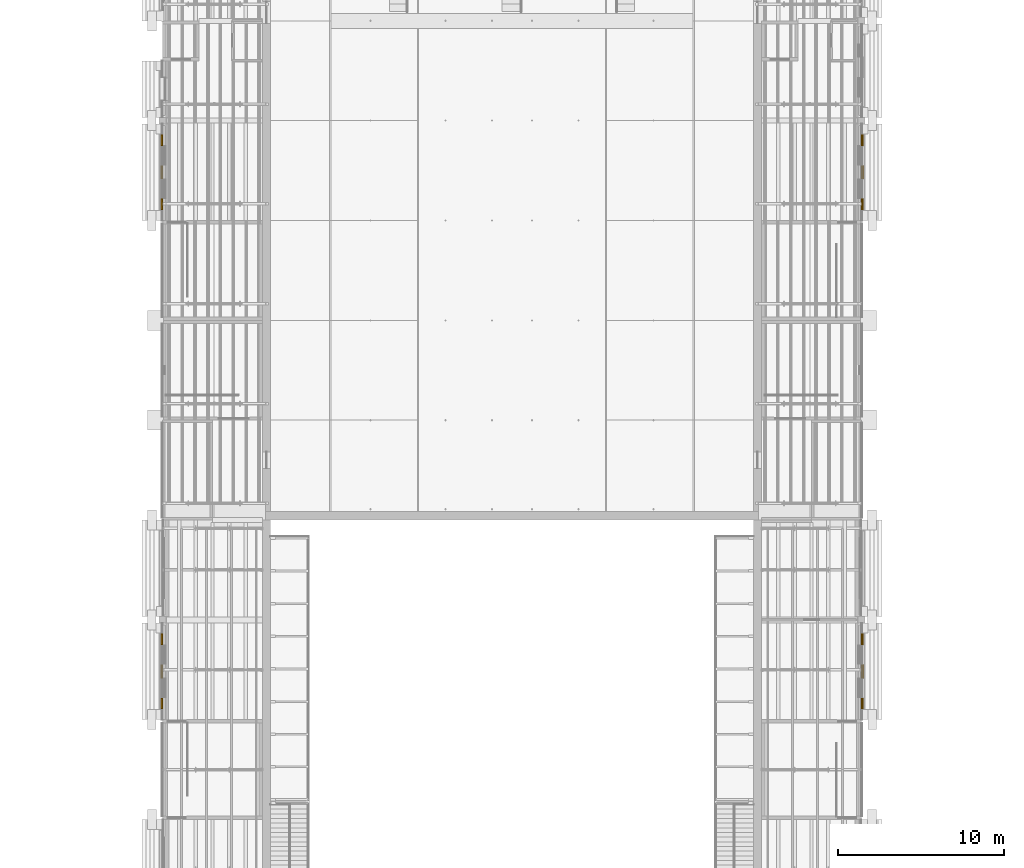
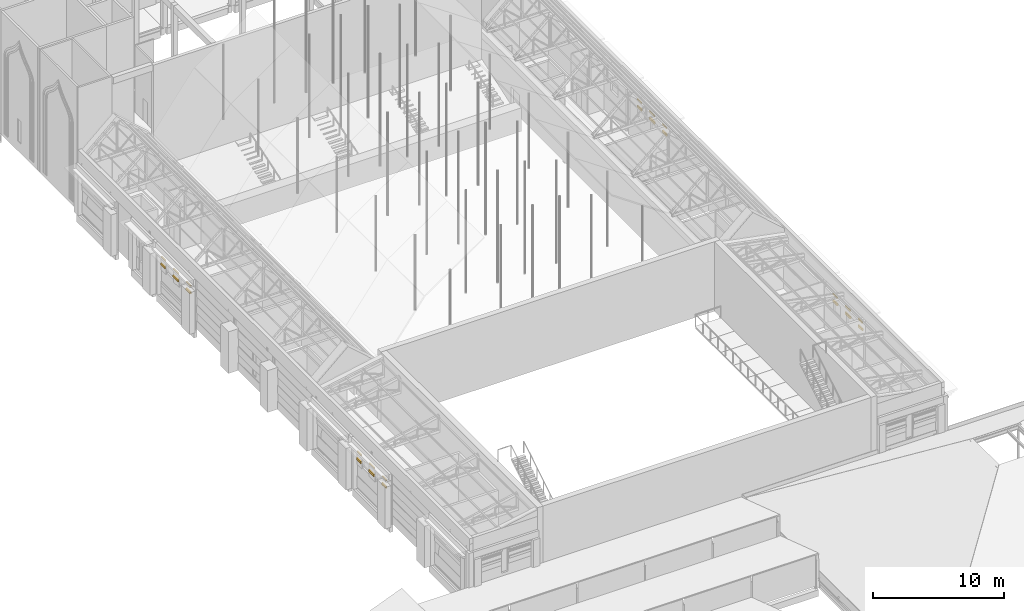
# One storey, part 118 of 118: 24 coverings.
"""IFC4 building model written with IfcOpenShell, lengths in metres."""

from ifc_helpers import new_model, si_unit, direction, frame, origin, origin_2d, place, context, subcontext, project, spatial, rectangle, extrude, material, layer, layer_set, type_object, element, save


model = new_model("IFC4")

# Units and contexts
model_context = context("Model", 3, precision=1e-05, world=origin(), true_north=direction((0.0, 1.0)))
body_context = subcontext(model_context, "Body", "Model", "MODEL_VIEW")
ifc_project = project(units=[si_unit("LENGTHUNIT", "METRE"), si_unit("AREAUNIT", "SQUARE_METRE"), si_unit("VOLUMEUNIT", "CUBIC_METRE"), si_unit("PLANEANGLEUNIT", "RADIAN"), si_unit("MASSUNIT", "GRAM", prefix="KILO")], contexts=[model_context])

# Site, building, storey
site_placement = place(None, origin())
site = spatial("IfcSite", under=ifc_project, at=site_placement, CompositionType="ELEMENT")
building_placement = place(site_placement, origin())
building = spatial("IfcBuilding", under=site, at=building_placement, Name="Saffron Lane Theatres", CompositionType="ELEMENT")
storey_placement = place(building_placement, frame((0.0, 0.0, 16.5)))
storey = spatial("IfcBuildingStorey", under=building, at=storey_placement, Name="L03", CompositionType="ELEMENT", Elevation=16.5)

# Coverings
ifc_material_1 = material(Name="Masonry sandstone", Category="masonry")
ifc_layer_1 = layer(ifc_material_1, 0.179931640625)
ifc_layer_set_1 = layer_set([ifc_layer_1], Name="Masonry sandstone")
covering_type_1 = type_object("IfcCoveringType", Name="EX-EAVES CORNICE SANDSTONE 180", PredefinedType="CLADDING", material=ifc_layer_set_1)
covering_1_placement = place(storey_placement, frame((54.0400390625, 76.824951171875, 3.449951171875), z_axis=(0.0, 0.0, 1.0), x_axis=(0.0, -1.0, 0.0)))
element("IfcCovering", 1, at=covering_1_placement, inside=storey, type_object=covering_type_1, Name="Eaves cornice L03", PredefinedType="CLADDING", context=body_context, shape_type="SweptSolid", body=[
    extrude(rectangle(XDim=0.64990234375, YDim=0.080078125, at=origin_2d()), origin(), (0.0, 0.0, 1.0), 0.1298828125),
])
covering_2_placement = place(storey_placement, frame((54.0400390625, 74.89990234375, 3.449951171875), z_axis=(0.0, 0.0, 1.0), x_axis=(0.0, -1.0, 0.0)))
element("IfcCovering", 2, at=covering_2_placement, inside=storey, type_object=covering_type_1, Name="Eaves cornice L03", PredefinedType="CLADDING", context=body_context, shape_type="SweptSolid", body=[
    extrude(rectangle(XDim=0.800048828125, YDim=0.080078125, at=origin_2d()), origin(), (0.0, 0.0, 1.0), 0.1298828125),
])
for number, where, z_axis, x_axis, name in (
    (3, (54.0400390625, 72.97509765625, 3.449951171875), (0.0, 0.0, 1.0), (0.0, -1.0, 0.0), "Eaves cornice L03"),
    (4, (54.0400390625, 46.824951171875, 3.449951171875), (0.0, 0.0, 1.0), (0.0, -1.0, 0.0), "Eaves cornice L03"),
):
    element("IfcCovering", number, at=place(storey_placement, frame(where, z_axis=z_axis, x_axis=x_axis)), inside=storey, type_object=covering_type_1, Name=name, PredefinedType="CLADDING", context=body_context, shape_type="SweptSolid", body=[
        extrude(rectangle(XDim=0.64990234375, YDim=0.080078125, at=origin_2d()), origin(), (0.0, 0.0, 1.0), 0.1298828125),
    ])
covering_3_placement = place(storey_placement, frame((54.0400390625, 44.89990234375, 3.449951171875), z_axis=(0.0, 0.0, 1.0), x_axis=(0.0, -1.0, 0.0)))
element("IfcCovering", 5, at=covering_3_placement, inside=storey, type_object=covering_type_1, Name="Eaves cornice L03", PredefinedType="CLADDING", context=body_context, shape_type="SweptSolid", body=[
    extrude(rectangle(XDim=0.800048828125, YDim=0.080078125, at=origin_2d()), origin(), (0.0, 0.0, 1.0), 0.1298828125),
])
for number, where, z_axis, x_axis, name in (
    (6, (54.0400390625, 42.97509765625, 3.449951171875), (0.0, 0.0, 1.0), (0.0, -1.0, 0.0), "Eaves cornice L03"),
    (7, (11.9599609375, 42.97509765625, 3.449951171875), (0.0, 0.0, 1.0), (0.0, 1.0, 0.0), "Eaves cornice L03"),
):
    element("IfcCovering", number, at=place(storey_placement, frame(where, z_axis=z_axis, x_axis=x_axis)), inside=storey, type_object=covering_type_1, Name=name, PredefinedType="CLADDING", context=body_context, shape_type="SweptSolid", body=[
        extrude(rectangle(XDim=0.64990234375, YDim=0.080078125, at=origin_2d()), origin(), (0.0, 0.0, 1.0), 0.1298828125),
    ])
covering_4_placement = place(storey_placement, frame((11.9599609375, 44.89990234375, 3.449951171875), z_axis=(0.0, 0.0, 1.0), x_axis=(0.0, 1.0, 0.0)))
element("IfcCovering", 8, at=covering_4_placement, inside=storey, type_object=covering_type_1, Name="Eaves cornice L03", PredefinedType="CLADDING", context=body_context, shape_type="SweptSolid", body=[
    extrude(rectangle(XDim=0.800048828125, YDim=0.080078125, at=origin_2d()), origin(), (0.0, 0.0, 1.0), 0.1298828125),
])
for number, where, z_axis, x_axis, name in (
    (9, (11.9599609375, 46.824951171875, 3.449951171875), (0.0, 0.0, 1.0), (0.0, 1.0, 0.0), "Eaves cornice L03"),
    (10, (11.9599609375, 72.97509765625, 3.449951171875), (0.0, 0.0, 1.0), (0.0, 1.0, 0.0), "Eaves cornice L03"),
):
    element("IfcCovering", number, at=place(storey_placement, frame(where, z_axis=z_axis, x_axis=x_axis)), inside=storey, type_object=covering_type_1, Name=name, PredefinedType="CLADDING", context=body_context, shape_type="SweptSolid", body=[
        extrude(rectangle(XDim=0.64990234375, YDim=0.080078125, at=origin_2d()), origin(), (0.0, 0.0, 1.0), 0.1298828125),
    ])
covering_5_placement = place(storey_placement, frame((11.9599609375, 74.89990234375, 3.449951171875), z_axis=(0.0, 0.0, 1.0), x_axis=(0.0, 1.0, 0.0)))
element("IfcCovering", 11, at=covering_5_placement, inside=storey, type_object=covering_type_1, Name="Eaves cornice L03", PredefinedType="CLADDING", context=body_context, shape_type="SweptSolid", body=[
    extrude(rectangle(XDim=0.800048828125, YDim=0.080078125, at=origin_2d()), origin(), (0.0, 0.0, 1.0), 0.1298828125),
])
covering_6_placement = place(storey_placement, frame((11.9599609375, 76.824951171875, 3.449951171875), z_axis=(0.0, 0.0, 1.0), x_axis=(0.0, 1.0, 0.0)))
element("IfcCovering", 12, at=covering_6_placement, inside=storey, type_object=covering_type_1, Name="Eaves cornice L03", PredefinedType="CLADDING", context=body_context, shape_type="SweptSolid", body=[
    extrude(rectangle(XDim=0.64990234375, YDim=0.080078125, at=origin_2d()), origin(), (0.0, 0.0, 1.0), 0.1298828125),
])
ifc_material_2 = material(Name="Masonry sandstone", Category="masonry")
ifc_layer_2 = layer(ifc_material_2, 0.1201171875)
ifc_layer_set_2 = layer_set([ifc_layer_2], Name="Masonry sandstone")
covering_type_2 = type_object("IfcCoveringType", Name="EX-EAVES STRING COURSE SANDSTONE 120", PredefinedType="CLADDING", material=ifc_layer_set_2)
covering_7_placement = place(storey_placement, frame((54.06005859375, 76.824951171875, 2.75), z_axis=(0.0, 0.0, 1.0), x_axis=(0.0, -1.0, 0.0)))
element("IfcCovering", 13, at=covering_7_placement, inside=storey, type_object=covering_type_2, Name="Eaves string course L03", PredefinedType="CLADDING", context=body_context, shape_type="SweptSolid", body=[
    extrude(rectangle(XDim=0.64990234375, YDim=0.1201171875, at=origin_2d()), origin(), (0.0, 0.0, 1.0), 0.199951171875),
])
covering_8_placement = place(storey_placement, frame((54.06005859375, 74.89990234375, 2.75), z_axis=(0.0, 0.0, 1.0), x_axis=(0.0, -1.0, 0.0)))
element("IfcCovering", 14, at=covering_8_placement, inside=storey, type_object=covering_type_2, Name="Eaves string course L03", PredefinedType="CLADDING", context=body_context, shape_type="SweptSolid", body=[
    extrude(rectangle(XDim=0.800048828125, YDim=0.1201171875, at=origin_2d()), origin(), (0.0, 0.0, 1.0), 0.199951171875),
])
for number, where, z_axis, x_axis, name in (
    (15, (54.06005859375, 72.97509765625, 2.75), (0.0, 0.0, 1.0), (0.0, -1.0, 0.0), "Eaves string course L03"),
    (16, (54.06005859375, 46.824951171875, 2.75), (0.0, 0.0, 1.0), (0.0, -1.0, 0.0), "Eaves string course L03"),
):
    element("IfcCovering", number, at=place(storey_placement, frame(where, z_axis=z_axis, x_axis=x_axis)), inside=storey, type_object=covering_type_2, Name=name, PredefinedType="CLADDING", context=body_context, shape_type="SweptSolid", body=[
        extrude(rectangle(XDim=0.64990234375, YDim=0.1201171875, at=origin_2d()), origin(), (0.0, 0.0, 1.0), 0.199951171875),
    ])
covering_9_placement = place(storey_placement, frame((54.06005859375, 44.89990234375, 2.75), z_axis=(0.0, 0.0, 1.0), x_axis=(0.0, -1.0, 0.0)))
element("IfcCovering", 17, at=covering_9_placement, inside=storey, type_object=covering_type_2, Name="Eaves string course L03", PredefinedType="CLADDING", context=body_context, shape_type="SweptSolid", body=[
    extrude(rectangle(XDim=0.800048828125, YDim=0.1201171875, at=origin_2d()), origin(), (0.0, 0.0, 1.0), 0.199951171875),
])
for number, where, z_axis, x_axis, name in (
    (18, (54.06005859375, 42.97509765625, 2.75), (0.0, 0.0, 1.0), (0.0, -1.0, 0.0), "Eaves string course L03"),
    (19, (11.93994140625, 42.97509765625, 2.75), (0.0, 0.0, 1.0), (0.0, 1.0, 0.0), "Eaves string course L03"),
):
    element("IfcCovering", number, at=place(storey_placement, frame(where, z_axis=z_axis, x_axis=x_axis)), inside=storey, type_object=covering_type_2, Name=name, PredefinedType="CLADDING", context=body_context, shape_type="SweptSolid", body=[
        extrude(rectangle(XDim=0.64990234375, YDim=0.1201171875, at=origin_2d()), origin(), (0.0, 0.0, 1.0), 0.199951171875),
    ])
covering_10_placement = place(storey_placement, frame((11.93994140625, 44.89990234375, 2.75), z_axis=(0.0, 0.0, 1.0), x_axis=(0.0, 1.0, 0.0)))
element("IfcCovering", 20, at=covering_10_placement, inside=storey, type_object=covering_type_2, Name="Eaves string course L03", PredefinedType="CLADDING", context=body_context, shape_type="SweptSolid", body=[
    extrude(rectangle(XDim=0.800048828125, YDim=0.1201171875, at=origin_2d()), origin(), (0.0, 0.0, 1.0), 0.199951171875),
])
for number, where, z_axis, x_axis, name in (
    (21, (11.93994140625, 46.824951171875, 2.75), (0.0, 0.0, 1.0), (0.0, 1.0, 0.0), "Eaves string course L03"),
    (22, (11.93994140625, 72.97509765625, 2.75), (0.0, 0.0, 1.0), (0.0, 1.0, 0.0), "Eaves string course L03"),
):
    element("IfcCovering", number, at=place(storey_placement, frame(where, z_axis=z_axis, x_axis=x_axis)), inside=storey, type_object=covering_type_2, Name=name, PredefinedType="CLADDING", context=body_context, shape_type="SweptSolid", body=[
        extrude(rectangle(XDim=0.64990234375, YDim=0.1201171875, at=origin_2d()), origin(), (0.0, 0.0, 1.0), 0.199951171875),
    ])
covering_11_placement = place(storey_placement, frame((11.93994140625, 74.89990234375, 2.75), z_axis=(0.0, 0.0, 1.0), x_axis=(0.0, 1.0, 0.0)))
element("IfcCovering", 23, at=covering_11_placement, inside=storey, type_object=covering_type_2, Name="Eaves string course L03", PredefinedType="CLADDING", context=body_context, shape_type="SweptSolid", body=[
    extrude(rectangle(XDim=0.800048828125, YDim=0.1201171875, at=origin_2d()), origin(), (0.0, 0.0, 1.0), 0.199951171875),
])
covering_12_placement = place(storey_placement, frame((11.93994140625, 76.824951171875, 2.75), z_axis=(0.0, 0.0, 1.0), x_axis=(0.0, 1.0, 0.0)))
element("IfcCovering", 24, at=covering_12_placement, inside=storey, type_object=covering_type_2, Name="Eaves string course L03", PredefinedType="CLADDING", context=body_context, shape_type="SweptSolid", body=[
    extrude(rectangle(XDim=0.64990234375, YDim=0.1201171875, at=origin_2d()), origin(), (0.0, 0.0, 1.0), 0.199951171875),
])

save(model, "model.ifc")
